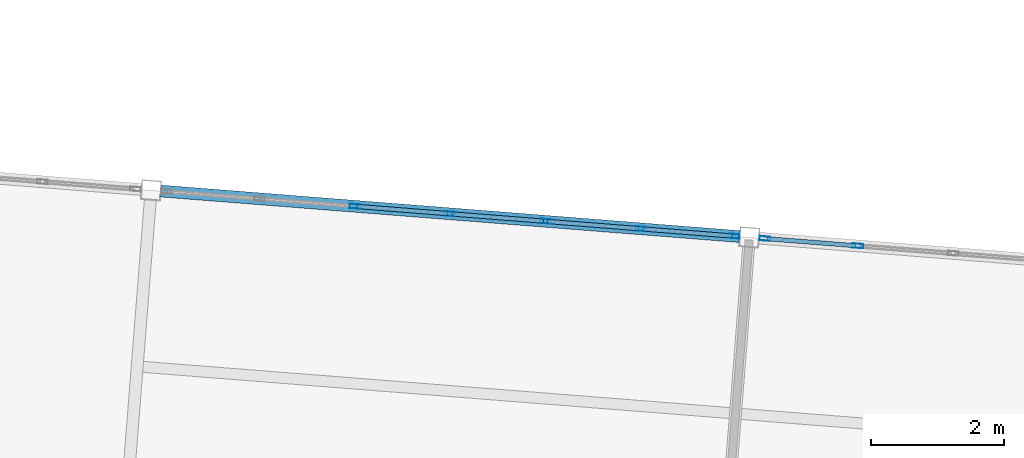
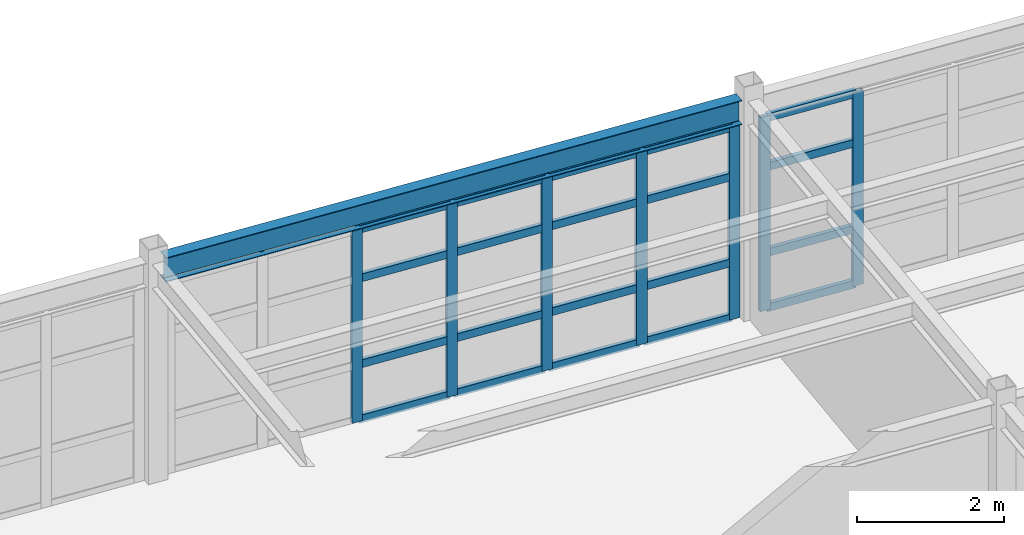
# One storey, part 52 of 150: 27 members, 1 beam, 2 elements without a shape of their own.
"""IFC4 building model written with IfcOpenShell, lengths in metres."""

from ifc_helpers import new_model, si_unit, direction, frame, origin, origin_2d, place, context, subcontext, project, spatial, hollow_rectangle, i_section, extrude, material, material_profile, profile_set, type_object, element, aggregate, save


model = new_model("IFC4")

# Units and contexts
model_context = context("Model", 3, precision=1e-05, world=origin(), true_north=direction((0.0, 1.0)))
body_context = subcontext(model_context, "Body", "Model", "MODEL_VIEW")
ifc_project = project(units=[si_unit("LENGTHUNIT", "METRE"), si_unit("AREAUNIT", "SQUARE_METRE"), si_unit("VOLUMEUNIT", "CUBIC_METRE"), si_unit("PLANEANGLEUNIT", "RADIAN"), si_unit("MASSUNIT", "GRAM", prefix="KILO")], contexts=[model_context])

# Site, building, storey
site_placement = place(None, origin())
site = spatial("IfcSite", under=ifc_project, at=site_placement, CompositionType="ELEMENT")
building_placement = place(site_placement, origin())
building = spatial("IfcBuilding", under=site, at=building_placement, Name="Kestramere Prow Commons", CompositionType="ELEMENT")
storey_placement = place(building_placement, frame((0.0, 0.0, 4.5)))
storey = spatial("IfcBuildingStorey", under=building, at=storey_placement, Name="L01", CompositionType="ELEMENT", Elevation=4.5)

# Beam
ifc_material_1 = material(Name="Steel S355JR", Category="steel")
ifc_material_profile_1 = material_profile(ifc_material_1, i_section(OverallWidth=0.177978515625, OverallDepth=0.406494140625, WebThickness=0.0078125, FlangeThickness=0.0126953125, FilletRadius=0.01025390625, at=origin_2d()), Name="UB 406x178x60")
ifc_profile_set_1 = profile_set([ifc_material_profile_1], Name="Steel S355JR")
beam_type = type_object("IfcBeamType", Name="BM-NR-01 UB 406x178x60 (EX)", PredefinedType="BEAM", material=ifc_profile_set_1)
beam_placement = place(storey_placement, frame((79.604736328125, 108.7080078125, 3.44677734375), z_axis=(0.996919433544, -0.078432410537, 0.0), x_axis=(0.078432410537, 0.996919433544, 0.0)))
element("IfcBeam", 1, at=beam_placement, inside=storey, type_object=beam_type, Name="Nursery L01 Beam U 4-2", PredefinedType="BEAM", context=body_context, shape_type="SweptSolid", body=[
    extrude(i_section(OverallWidth=0.177978515625, OverallDepth=0.406494140625, WebThickness=0.0078125, FlangeThickness=0.0126953125, FilletRadius=0.01025390625, at=origin_2d()), origin(), (0.0, 0.0, 1.0), 8.7001953125),
])

# Curtain wall, members
ifc_material_2 = material(Name="Anodised Aluminium and Low-E Glass", Category="aluminium")
curtain_wall_type = type_object("IfcCurtainWallType", Name="CW-15 Glazed Curtain Wall 8600x3230", PredefinedType="USERDEFINED", material=ifc_material_2)
curtain_wall_1_placement = place(storey_placement, origin())
curtain_wall_1 = element("IfcCurtainWall", 2, at=curtain_wall_1_placement, inside=storey, type_object=curtain_wall_type, Name="Nursery L01 North Garden Glazing 2", ObjectType="GLAZED CURTAIN WALL", PredefinedType="USERDEFINED")
ifc_material_3 = material(Name="Anodised Aluminium 6063-T6", Category="aluminium")
ifc_material_profile_2 = material_profile(ifc_material_3, hollow_rectangle(XDim=0.06494140625, YDim=0.159912109375, WallThickness=0.00390625, at=origin_2d()), Name="ALU-MUL 65x160")
ifc_profile_set_2 = profile_set([ifc_material_profile_2], Name="Anodised Aluminium 6063-T6")
member_type_1 = type_object("IfcMemberType", Name="CW-MUL-65x160", PredefinedType="MULLION", material=ifc_profile_set_2)
member_1_placement = place(storey_placement, frame((82.512451171875, 108.479248046875, 0.0), z_axis=(0.0, 0.0, 1.0), x_axis=(0.078459070568, 0.996917335713, 0.0)))
member_1 = element("IfcMember", 3, at=member_1_placement, type_object=member_type_1, Name="CW-15 mullion 3", PredefinedType="MULLION", context=body_context, shape_type="SweptSolid", body=[
    extrude(hollow_rectangle(XDim=0.06494140625, YDim=0.159912109375, WallThickness=0.00390625, at=origin_2d()), origin(), (0.0, 0.0, 1.0), 3.22998046875),
])
member_2_placement = place(storey_placement, frame((83.94140625, 108.36669921875, 0.0), z_axis=(0.0, 0.0, 1.0), x_axis=(0.078459070568, 0.996917335713, 0.0)))
member_2 = element("IfcMember", 4, at=member_2_placement, type_object=member_type_1, Name="CW-15 mullion 4", PredefinedType="MULLION", context=body_context, shape_type="SweptSolid", body=[
    extrude(hollow_rectangle(XDim=0.06494140625, YDim=0.159912109375, WallThickness=0.00390625, at=origin_2d()), origin(), (0.0, 0.0, 1.0), 3.22998046875),
])
member_3_placement = place(storey_placement, frame((85.370361328125, 108.25439453125, 0.0), z_axis=(0.0, 0.0, 1.0), x_axis=(0.078459070568, 0.996917335713, 0.0)))
member_3 = element("IfcMember", 5, at=member_3_placement, type_object=member_type_1, Name="CW-15 mullion 5", PredefinedType="MULLION", context=body_context, shape_type="SweptSolid", body=[
    extrude(hollow_rectangle(XDim=0.06494140625, YDim=0.159912109375, WallThickness=0.00390625, at=origin_2d()), origin(), (0.0, 0.0, 1.0), 3.22998046875),
])
member_4_placement = place(storey_placement, frame((86.79931640625, 108.141845703125, 0.0), z_axis=(0.0, 0.0, 1.0), x_axis=(0.078459070568, 0.996917335713, 0.0)))
member_4 = element("IfcMember", 6, at=member_4_placement, type_object=member_type_1, Name="CW-15 mullion 6", PredefinedType="MULLION", context=body_context, shape_type="SweptSolid", body=[
    extrude(hollow_rectangle(XDim=0.06494140625, YDim=0.159912109375, WallThickness=0.00390625, at=origin_2d()), origin(), (0.0, 0.0, 1.0), 3.22998046875),
])
member_5_placement = place(storey_placement, frame((88.19580078125, 108.031982421875, 0.0), z_axis=(0.0, 0.0, 1.0), x_axis=(0.078459070568, 0.996917335713, 0.0)))
member_5 = element("IfcMember", 7, at=member_5_placement, type_object=member_type_1, Name="CW-15 mullion 7", PredefinedType="MULLION", context=body_context, shape_type="SweptSolid", body=[
    extrude(hollow_rectangle(XDim=0.06494140625, YDim=0.159912109375, WallThickness=0.00390625, at=origin_2d()), origin(), (0.0, 0.0, 1.0), 3.22998046875),
])

curtain_wall_2_placement = place(storey_placement, origin())
curtain_wall_2 = element("IfcCurtainWall", 8, at=curtain_wall_2_placement, inside=storey, type_object=curtain_wall_type, Name="Nursery L01 North Garden Glazing 3", ObjectType="GLAZED CURTAIN WALL", PredefinedType="USERDEFINED")
member_6_placement = place(storey_placement, frame((88.659423828125, 107.99560546875, 0.0), z_axis=(0.0, 0.0, 1.0), x_axis=(0.078459070568, 0.996917335713, 0.0)))
member_6 = element("IfcMember", 9, at=member_6_placement, type_object=member_type_1, Name="CW-15 mullion 1", PredefinedType="MULLION", context=body_context, shape_type="SweptSolid", body=[
    extrude(hollow_rectangle(XDim=0.06494140625, YDim=0.159912109375, WallThickness=0.00390625, at=origin_2d()), origin(), (0.0, 0.0, 1.0), 3.22998046875),
])
member_7_placement = place(storey_placement, frame((90.055908203125, 107.885498046875, 0.0), z_axis=(0.0, 0.0, 1.0), x_axis=(0.078459070568, 0.996917335713, 0.0)))
member_7 = element("IfcMember", 10, at=member_7_placement, type_object=member_type_1, Name="CW-15 mullion 2", PredefinedType="MULLION", context=body_context, shape_type="SweptSolid", body=[
    extrude(hollow_rectangle(XDim=0.06494140625, YDim=0.159912109375, WallThickness=0.00390625, at=origin_2d()), origin(), (0.0, 0.0, 1.0), 3.22998046875),
])

# Member
ifc_material_profile_3 = material_profile(ifc_material_3, hollow_rectangle(XDim=0.06494140625, YDim=0.1298828125, WallThickness=0.00390625, at=origin_2d()), Name="ALU-TRN 65x130")
ifc_profile_set_3 = profile_set([ifc_material_profile_3], Name="Anodised Aluminium 6063-T6")
member_type_2 = type_object("IfcMemberType", Name="CW-TRN-65x130", PredefinedType="USERDEFINED", material=ifc_profile_set_3)
member_8_placement = place(storey_placement, frame((82.544921875, 108.476806640625, 0.032470703125), z_axis=(0.996913235205, -0.07851115509, 0.0), x_axis=(0.07851115509, 0.996913235205, 0.0)))
member_8 = element("IfcMember", 11, at=member_8_placement, type_object=member_type_2, Name="CW-15 transom 3.1", ObjectType="TRANSOM", PredefinedType="USERDEFINED", context=body_context, shape_type="SweptSolid", body=[
    extrude(hollow_rectangle(XDim=0.06494140625, YDim=0.1298828125, WallThickness=0.00390625, at=origin_2d()), origin(), (0.0, 0.0, 1.0), 1.3681640625),
])

member_9_placement = place(storey_placement, frame((82.544921875, 108.476806640625, 0.949951171875), z_axis=(0.996913235205, -0.07851115509, 0.0), x_axis=(0.07851115509, 0.996913235205, 0.0)))
member_9 = element("IfcMember", 12, at=member_9_placement, type_object=member_type_2, Name="CW-15 transom 3.2", ObjectType="TRANSOM", PredefinedType="USERDEFINED", context=body_context, shape_type="SweptSolid", body=[
    extrude(hollow_rectangle(XDim=0.06494140625, YDim=0.1298828125, WallThickness=0.00390625, at=origin_2d()), origin(), (0.0, 0.0, 1.0), 1.3681640625),
])

member_10_placement = place(storey_placement, frame((82.544921875, 108.476806640625, 2.3798828125), z_axis=(0.996913235205, -0.07851115509, 0.0), x_axis=(0.07851115509, 0.996913235205, 0.0)))
member_10 = element("IfcMember", 13, at=member_10_placement, type_object=member_type_2, Name="CW-15 transom 3.3", ObjectType="TRANSOM", PredefinedType="USERDEFINED", context=body_context, shape_type="SweptSolid", body=[
    extrude(hollow_rectangle(XDim=0.06494140625, YDim=0.1298828125, WallThickness=0.00390625, at=origin_2d()), origin(), (0.0, 0.0, 1.0), 1.3681640625),
])

member_11_placement = place(storey_placement, frame((82.544921875, 108.476806640625, 3.197509765625), z_axis=(0.996913235205, -0.07851115509, 0.0), x_axis=(0.07851115509, 0.996913235205, 0.0)))
member_11 = element("IfcMember", 14, at=member_11_placement, type_object=member_type_2, Name="CW-15 transom 3.4", ObjectType="TRANSOM", PredefinedType="USERDEFINED", context=body_context, shape_type="SweptSolid", body=[
    extrude(hollow_rectangle(XDim=0.06494140625, YDim=0.1298828125, WallThickness=0.00390625, at=origin_2d()), origin(), (0.0, 0.0, 1.0), 1.3681640625),
])

member_12_placement = place(storey_placement, frame((83.973876953125, 108.3642578125, 0.032470703125), z_axis=(0.996913235205, -0.07851115509, 0.0), x_axis=(0.07851115509, 0.996913235205, 0.0)))
member_12 = element("IfcMember", 15, at=member_12_placement, type_object=member_type_2, Name="CW-15 transom 4.1", ObjectType="TRANSOM", PredefinedType="USERDEFINED", context=body_context, shape_type="SweptSolid", body=[
    extrude(hollow_rectangle(XDim=0.06494140625, YDim=0.1298828125, WallThickness=0.00390625, at=origin_2d()), origin(), (0.0, 0.0, 1.0), 1.3681640625),
])

member_13_placement = place(storey_placement, frame((83.973876953125, 108.3642578125, 0.949951171875), z_axis=(0.996913235205, -0.07851115509, 0.0), x_axis=(0.07851115509, 0.996913235205, 0.0)))
member_13 = element("IfcMember", 16, at=member_13_placement, type_object=member_type_2, Name="CW-15 transom 4.2", ObjectType="TRANSOM", PredefinedType="USERDEFINED", context=body_context, shape_type="SweptSolid", body=[
    extrude(hollow_rectangle(XDim=0.06494140625, YDim=0.1298828125, WallThickness=0.00390625, at=origin_2d()), origin(), (0.0, 0.0, 1.0), 1.3681640625),
])

member_14_placement = place(storey_placement, frame((83.973876953125, 108.3642578125, 2.3798828125), z_axis=(0.996913235205, -0.07851115509, 0.0), x_axis=(0.07851115509, 0.996913235205, 0.0)))
member_14 = element("IfcMember", 17, at=member_14_placement, type_object=member_type_2, Name="CW-15 transom 4.3", ObjectType="TRANSOM", PredefinedType="USERDEFINED", context=body_context, shape_type="SweptSolid", body=[
    extrude(hollow_rectangle(XDim=0.06494140625, YDim=0.1298828125, WallThickness=0.00390625, at=origin_2d()), origin(), (0.0, 0.0, 1.0), 1.3681640625),
])

member_15_placement = place(storey_placement, frame((83.973876953125, 108.3642578125, 3.197509765625), z_axis=(0.996913235205, -0.07851115509, 0.0), x_axis=(0.07851115509, 0.996913235205, 0.0)))
member_15 = element("IfcMember", 18, at=member_15_placement, type_object=member_type_2, Name="CW-15 transom 4.4", ObjectType="TRANSOM", PredefinedType="USERDEFINED", context=body_context, shape_type="SweptSolid", body=[
    extrude(hollow_rectangle(XDim=0.06494140625, YDim=0.1298828125, WallThickness=0.00390625, at=origin_2d()), origin(), (0.0, 0.0, 1.0), 1.3681640625),
])

member_16_placement = place(storey_placement, frame((85.40283203125, 108.251708984375, 0.032470703125), z_axis=(0.996927185479, -0.078333816793, 0.0), x_axis=(0.078333816793, 0.996927185479, 0.0)))
member_16 = element("IfcMember", 19, at=member_16_placement, type_object=member_type_2, Name="CW-15 transom 5.1", ObjectType="TRANSOM", PredefinedType="USERDEFINED", context=body_context, shape_type="SweptSolid", body=[
    extrude(hollow_rectangle(XDim=0.06494140625, YDim=0.1298828125, WallThickness=0.00390625, at=origin_2d()), origin(), (0.0, 0.0, 1.0), 1.3681640625),
])

member_17_placement = place(storey_placement, frame((85.40283203125, 108.251708984375, 0.949951171875), z_axis=(0.996927185479, -0.078333816793, 0.0), x_axis=(0.078333816793, 0.996927185479, 0.0)))
member_17 = element("IfcMember", 20, at=member_17_placement, type_object=member_type_2, Name="CW-15 transom 5.2", ObjectType="TRANSOM", PredefinedType="USERDEFINED", context=body_context, shape_type="SweptSolid", body=[
    extrude(hollow_rectangle(XDim=0.06494140625, YDim=0.1298828125, WallThickness=0.00390625, at=origin_2d()), origin(), (0.0, 0.0, 1.0), 1.3681640625),
])

member_18_placement = place(storey_placement, frame((85.40283203125, 108.251708984375, 2.3798828125), z_axis=(0.996927185479, -0.078333816793, 0.0), x_axis=(0.078333816793, 0.996927185479, 0.0)))
member_18 = element("IfcMember", 21, at=member_18_placement, type_object=member_type_2, Name="CW-15 transom 5.3", ObjectType="TRANSOM", PredefinedType="USERDEFINED", context=body_context, shape_type="SweptSolid", body=[
    extrude(hollow_rectangle(XDim=0.06494140625, YDim=0.1298828125, WallThickness=0.00390625, at=origin_2d()), origin(), (0.0, 0.0, 1.0), 1.3681640625),
])

member_19_placement = place(storey_placement, frame((85.40283203125, 108.251708984375, 3.197509765625), z_axis=(0.996927185479, -0.078333816793, 0.0), x_axis=(0.078333816793, 0.996927185479, 0.0)))
member_19 = element("IfcMember", 22, at=member_19_placement, type_object=member_type_2, Name="CW-15 transom 5.4", ObjectType="TRANSOM", PredefinedType="USERDEFINED", context=body_context, shape_type="SweptSolid", body=[
    extrude(hollow_rectangle(XDim=0.06494140625, YDim=0.1298828125, WallThickness=0.00390625, at=origin_2d()), origin(), (0.0, 0.0, 1.0), 1.3681640625),
])

member_20_placement = place(storey_placement, frame((86.83154296875, 108.139404296875, 0.032470703125), z_axis=(0.996907574622, -0.078582998549, 0.0), x_axis=(0.078582998549, 0.996907574622, 0.0)))
member_20 = element("IfcMember", 23, at=member_20_placement, type_object=member_type_2, Name="CW-15 transom 6.1", ObjectType="TRANSOM", PredefinedType="USERDEFINED", context=body_context, shape_type="SweptSolid", body=[
    extrude(hollow_rectangle(XDim=0.06494140625, YDim=0.1298828125, WallThickness=0.00390625, at=origin_2d()), origin(), (0.0, 0.0, 1.0), 1.3359375),
])

member_21_placement = place(storey_placement, frame((86.83154296875, 108.139404296875, 0.949951171875), z_axis=(0.996907574622, -0.078582998549, 0.0), x_axis=(0.078582998549, 0.996907574622, 0.0)))
member_21 = element("IfcMember", 24, at=member_21_placement, type_object=member_type_2, Name="CW-15 transom 6.2", ObjectType="TRANSOM", PredefinedType="USERDEFINED", context=body_context, shape_type="SweptSolid", body=[
    extrude(hollow_rectangle(XDim=0.06494140625, YDim=0.1298828125, WallThickness=0.00390625, at=origin_2d()), origin(), (0.0, 0.0, 1.0), 1.3359375),
])

member_22_placement = place(storey_placement, frame((86.83154296875, 108.139404296875, 2.3798828125), z_axis=(0.996907574622, -0.078582998549, 0.0), x_axis=(0.078582998549, 0.996907574622, 0.0)))
member_22 = element("IfcMember", 25, at=member_22_placement, type_object=member_type_2, Name="CW-15 transom 6.3", ObjectType="TRANSOM", PredefinedType="USERDEFINED", context=body_context, shape_type="SweptSolid", body=[
    extrude(hollow_rectangle(XDim=0.06494140625, YDim=0.1298828125, WallThickness=0.00390625, at=origin_2d()), origin(), (0.0, 0.0, 1.0), 1.3359375),
])

member_23_placement = place(storey_placement, frame((86.83154296875, 108.139404296875, 3.197509765625), z_axis=(0.996907574622, -0.078582998549, 0.0), x_axis=(0.078582998549, 0.996907574622, 0.0)))
member_23 = element("IfcMember", 26, at=member_23_placement, type_object=member_type_2, Name="CW-15 transom 6.4", ObjectType="TRANSOM", PredefinedType="USERDEFINED", context=body_context, shape_type="SweptSolid", body=[
    extrude(hollow_rectangle(XDim=0.06494140625, YDim=0.1298828125, WallThickness=0.00390625, at=origin_2d()), origin(), (0.0, 0.0, 1.0), 1.3359375),
])

aggregate(curtain_wall_1, [member_1, member_2, member_3, member_4, member_5, member_8, member_9, member_10, member_11, member_12, member_13, member_14, member_15, member_16, member_17, member_18, member_19, member_20, member_21, member_22, member_23])

member_24_placement = place(storey_placement, frame((88.691650390625, 107.992919921875, 0.032470703125), z_axis=(0.996921875006, -0.078401372022, 0.0), x_axis=(0.078401372022, 0.996921875006, 0.0)))
member_24 = element("IfcMember", 27, at=member_24_placement, type_object=member_type_2, Name="CW-15 transom 1.1", ObjectType="TRANSOM", PredefinedType="USERDEFINED", context=body_context, shape_type="SweptSolid", body=[
    extrude(hollow_rectangle(XDim=0.06494140625, YDim=0.1298828125, WallThickness=0.00390625, at=origin_2d()), origin(), (0.0, 0.0, 1.0), 1.3359375),
])

member_25_placement = place(storey_placement, frame((88.691650390625, 107.992919921875, 0.949951171875), z_axis=(0.996921875006, -0.078401372022, 0.0), x_axis=(0.078401372022, 0.996921875006, 0.0)))
member_25 = element("IfcMember", 28, at=member_25_placement, type_object=member_type_2, Name="CW-15 transom 1.2", ObjectType="TRANSOM", PredefinedType="USERDEFINED", context=body_context, shape_type="SweptSolid", body=[
    extrude(hollow_rectangle(XDim=0.06494140625, YDim=0.1298828125, WallThickness=0.00390625, at=origin_2d()), origin(), (0.0, 0.0, 1.0), 1.3359375),
])

member_26_placement = place(storey_placement, frame((88.691650390625, 107.992919921875, 2.3798828125), z_axis=(0.996921875006, -0.078401372022, 0.0), x_axis=(0.078401372022, 0.996921875006, 0.0)))
member_26 = element("IfcMember", 29, at=member_26_placement, type_object=member_type_2, Name="CW-15 transom 1.3", ObjectType="TRANSOM", PredefinedType="USERDEFINED", context=body_context, shape_type="SweptSolid", body=[
    extrude(hollow_rectangle(XDim=0.06494140625, YDim=0.1298828125, WallThickness=0.00390625, at=origin_2d()), origin(), (0.0, 0.0, 1.0), 1.3359375),
])

member_27_placement = place(storey_placement, frame((88.691650390625, 107.992919921875, 3.197509765625), z_axis=(0.996921875006, -0.078401372022, 0.0), x_axis=(0.078401372022, 0.996921875006, 0.0)))
member_27 = element("IfcMember", 30, at=member_27_placement, type_object=member_type_2, Name="CW-15 transom 1.4", ObjectType="TRANSOM", PredefinedType="USERDEFINED", context=body_context, shape_type="SweptSolid", body=[
    extrude(hollow_rectangle(XDim=0.06494140625, YDim=0.1298828125, WallThickness=0.00390625, at=origin_2d()), origin(), (0.0, 0.0, 1.0), 1.3359375),
])

aggregate(curtain_wall_2, [member_6, member_7, member_24, member_25, member_26, member_27])

save(model, "model.ifc")
